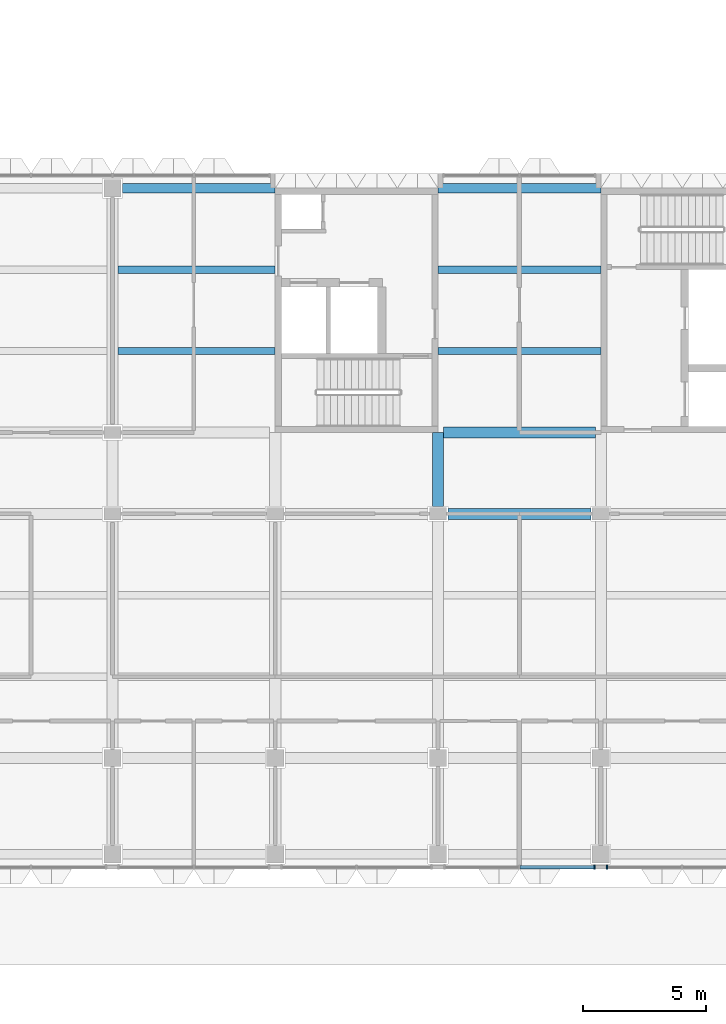
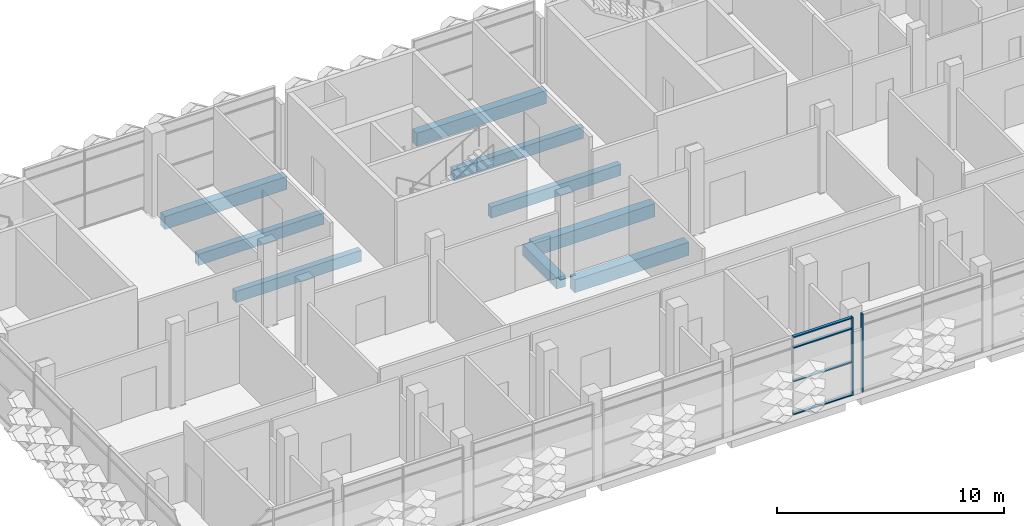
# One storey, part 8 of 109: 9 beams, 6 members, 2 elements without a shape of their own.
"""IFC4 building model written with IfcOpenShell, lengths in metres."""

from ifc_helpers import new_model, si_unit, direction, frame, origin, origin_2d, place, context, subcontext, project, spatial, rectangle, extrude, material, material_profile, profile_set, type_object, element, aggregate, save


model = new_model("IFC4")

# Units and contexts
model_context = context("Model", 3, precision=1e-05, world=origin(), true_north=direction((0.0, 1.0)))
body_context = subcontext(model_context, "Body", "Model", "MODEL_VIEW")
ifc_project = project(units=[si_unit("LENGTHUNIT", "METRE"), si_unit("AREAUNIT", "SQUARE_METRE"), si_unit("VOLUMEUNIT", "CUBIC_METRE"), si_unit("PLANEANGLEUNIT", "RADIAN"), si_unit("MASSUNIT", "GRAM", prefix="KILO")], contexts=[model_context])

# Site, building, storey
site_placement = place(None, origin())
site = spatial("IfcSite", under=ifc_project, at=site_placement, CompositionType="ELEMENT")
building_placement = place(site_placement, origin())
building = spatial("IfcBuilding", under=site, at=building_placement, Name="Lantern Court Research Institute", CompositionType="ELEMENT")
storey_placement = place(building_placement, frame((0.0, 0.0, 14.39990234375)))
storey = spatial("IfcBuildingStorey", under=building, at=storey_placement, Name="L03", CompositionType="ELEMENT", Elevation=14.39990234375)

# Curtain wall, member
ifc_material_1 = material(Name="Aluminium alloy 6063-T6", Category="aluminium")
curtain_wall_type = type_object("IfcCurtainWallType", Name="Curtain wall 6150 x 4200 x 150 aluminium frame", PredefinedType="NOTDEFINED", material=ifc_material_1)
curtain_wall_1_placement = place(storey_placement, origin())
curtain_wall_1 = element("IfcCurtainWall", 1, at=curtain_wall_1_placement, inside=storey, type_object=curtain_wall_type, Name="Curtain wall CW052", PredefinedType="NOTDEFINED")
ifc_material_2 = material(Name="Aluminium alloy 6063-T6", Category="aluminium")
ifc_material_profile_1 = material_profile(ifc_material_2, rectangle(XDim=0.14990234375, YDim=0.06005859375, at=origin_2d()), Name="Mullion 150 x 60")
ifc_profile_set_1 = profile_set([ifc_material_profile_1], Name="Aluminium alloy 6063-T6")
member_type_1 = type_object("IfcMemberType", Name="Mullion 150 x 60 aluminium", PredefinedType="MULLION", material=ifc_profile_set_1)
member_1_placement = place(storey_placement, frame((32.7451171875, -4.425048828125, 0.0), z_axis=(0.0, 0.0, 1.0), x_axis=(0.0, -1.0, 0.0)))
member_1 = element("IfcMember", 2, at=member_1_placement, type_object=member_type_1, Name="CW052 mullion 3", PredefinedType="MULLION", context=body_context, shape_type="SweptSolid", body=[
    extrude(rectangle(XDim=0.14990234375, YDim=0.06005859375, at=origin_2d()), origin(), (0.0, 0.0, 1.0), 4.2001953125),
])

curtain_wall_2_placement = place(storey_placement, origin())
curtain_wall_2 = element("IfcCurtainWall", 3, at=curtain_wall_2_placement, inside=storey, type_object=curtain_wall_type, Name="Curtain wall CW053", PredefinedType="NOTDEFINED")
member_2_placement = place(storey_placement, frame((33.2548828125, -4.425048828125, 0.0), z_axis=(0.0, 0.0, 1.0), x_axis=(0.0, -1.0, 0.0)))
member_2 = element("IfcMember", 4, at=member_2_placement, type_object=member_type_1, Name="CW053 mullion 1", PredefinedType="MULLION", context=body_context, shape_type="SweptSolid", body=[
    extrude(rectangle(XDim=0.14990234375, YDim=0.06005859375, at=origin_2d()), origin(), (0.0, 0.0, 1.0), 4.2001953125),
])
aggregate(curtain_wall_2, [member_2])

# Beams
ifc_material_3 = material(Name="Concrete C40/50", Category="concrete")
ifc_material_profile_2 = material_profile(ifc_material_3, rectangle(XDim=0.449951171875, YDim=0.699951171875, at=origin_2d()), Name="RC beam 450 x 700")
ifc_profile_set_2 = profile_set([ifc_material_profile_2], Name="Concrete C40/50")
beam_type_1 = type_object("IfcBeamType", Name="RC beam 450 x 700", PredefinedType="BEAM", material=ifc_profile_set_2)
beam_1_placement = place(storey_placement, frame((26.800048828125, 9.89990234375, -0.64990234375), z_axis=(1.0, 0.0, 0.0), x_axis=(0.0, 1.0, 0.0)))
element("IfcBeam", 5, at=beam_1_placement, inside=storey, type_object=beam_type_1, Name="Beam L03 grid B/5-6", PredefinedType="BEAM", context=body_context, shape_type="SweptSolid", body=[
    extrude(rectangle(XDim=0.449951171875, YDim=0.699951171875, at=origin_2d()), origin(), (0.0, 0.0, 1.0), 5.800048828125),
])
beam_2_placement = place(storey_placement, frame((26.625, 13.199951171875, -0.64990234375), z_axis=(1.0, 0.0, 0.0), x_axis=(0.0, 1.0, 0.0)))
element("IfcBeam", 6, at=beam_2_placement, inside=storey, type_object=beam_type_1, Name="Beam L03 grid C/5-6", PredefinedType="BEAM", context=body_context, shape_type="SweptSolid", body=[
    extrude(rectangle(XDim=0.449951171875, YDim=0.699951171875, at=origin_2d()), origin(), (0.0, 0.0, 1.0), 6.14990234375),
])
ifc_material_4 = material(Name="Concrete C40/50", Category="concrete")
ifc_material_profile_3 = material_profile(ifc_material_4, rectangle(XDim=0.39990234375, YDim=0.699951171875, at=origin_2d()), Name="RC beam 400 x 700")
ifc_profile_set_3 = profile_set([ifc_material_profile_3], Name="Concrete C40/50")
beam_type_2 = type_object("IfcBeamType", Name="RC edge beam 400 x 700", PredefinedType="BEAM", material=ifc_profile_set_3)
beam_3_placement = place(storey_placement, frame((13.60009765625, 23.10009765625, -0.64990234375), z_axis=(1.0, 0.0, 0.0), x_axis=(0.0, 1.0, 0.0)))
element("IfcBeam", 7, at=beam_3_placement, inside=storey, type_object=beam_type_2, Name="Edge beam L03 grid D/3-4", PredefinedType="BEAM", context=body_context, shape_type="SweptSolid", body=[
    extrude(rectangle(XDim=0.39990234375, YDim=0.699951171875, at=origin_2d()), origin(), (0.0, 0.0, 1.0), 6.199951171875),
])
beam_4_placement = place(storey_placement, frame((26.39990234375, 23.10009765625, -0.64990234375), z_axis=(1.0, 0.0, 0.0), x_axis=(0.0, 1.0, 0.0)))
element("IfcBeam", 8, at=beam_4_placement, inside=storey, type_object=beam_type_2, Name="Edge beam L03 grid D/5-6", PredefinedType="BEAM", context=body_context, shape_type="SweptSolid", body=[
    extrude(rectangle(XDim=0.39990234375, YDim=0.699951171875, at=origin_2d()), origin(), (0.0, 0.0, 1.0), 6.60009765625),
])
ifc_material_5 = material(Name="Concrete C40/50", Category="concrete")
ifc_material_profile_4 = material_profile(ifc_material_5, rectangle(XDim=0.300048828125, YDim=0.60009765625, at=origin_2d()), Name="RC beam 300 x 600")
ifc_profile_set_4 = profile_set([ifc_material_profile_4], Name="Concrete C40/50")
beam_type_3 = type_object("IfcBeamType", Name="RC secondary beam 300 x 600", PredefinedType="BEAM", material=ifc_profile_set_4)
beam_5_placement = place(storey_placement, frame((13.425048828125, 16.5, -0.599853515625), z_axis=(1.0, 0.0, 0.0), x_axis=(0.0, 1.0, 0.0)))
element("IfcBeam", 9, at=beam_5_placement, inside=storey, type_object=beam_type_3, Name="Secondary beam L03 grids 3-4 / C-D, line 1", PredefinedType="BEAM", context=body_context, shape_type="SweptSolid", body=[
    extrude(rectangle(XDim=0.300048828125, YDim=0.60009765625, at=origin_2d()), origin(), (0.0, 0.0, 1.0), 6.375),
])
beam_6_placement = place(storey_placement, frame((26.39990234375, 16.5, -0.599853515625), z_axis=(1.0, 0.0, 0.0), x_axis=(0.0, 1.0, 0.0)))
element("IfcBeam", 10, at=beam_6_placement, inside=storey, type_object=beam_type_3, Name="Secondary beam L03 grids 5-6 / C-D, line 1", PredefinedType="BEAM", context=body_context, shape_type="SweptSolid", body=[
    extrude(rectangle(XDim=0.300048828125, YDim=0.60009765625, at=origin_2d()), origin(), (0.0, 0.0, 1.0), 6.60009765625),
])
beam_7_placement = place(storey_placement, frame((13.425048828125, 19.800048828125, -0.599853515625), z_axis=(1.0, 0.0, 0.0), x_axis=(0.0, 1.0, 0.0)))
element("IfcBeam", 11, at=beam_7_placement, inside=storey, type_object=beam_type_3, Name="Secondary beam L03 grids 3-4 / C-D, line 2", PredefinedType="BEAM", context=body_context, shape_type="SweptSolid", body=[
    extrude(rectangle(XDim=0.300048828125, YDim=0.60009765625, at=origin_2d()), origin(), (0.0, 0.0, 1.0), 6.375),
])
beam_8_placement = place(storey_placement, frame((26.39990234375, 19.800048828125, -0.599853515625), z_axis=(1.0, 0.0, 0.0), x_axis=(0.0, 1.0, 0.0)))
element("IfcBeam", 12, at=beam_8_placement, inside=storey, type_object=beam_type_3, Name="Secondary beam L03 grids 5-6 / C-D, line 2", PredefinedType="BEAM", context=body_context, shape_type="SweptSolid", body=[
    extrude(rectangle(XDim=0.300048828125, YDim=0.60009765625, at=origin_2d()), origin(), (0.0, 0.0, 1.0), 6.60009765625),
])
ifc_material_6 = material(Name="Concrete C40/50", Category="concrete")
ifc_material_profile_5 = material_profile(ifc_material_6, rectangle(XDim=0.449951171875, YDim=0.60009765625, at=origin_2d()), Name="RC beam 450 x 600")
ifc_profile_set_5 = profile_set([ifc_material_profile_5], Name="Concrete C40/50")
beam_type_4 = type_object("IfcBeamType", Name="RC spine beam 450 x 600", PredefinedType="BEAM", material=ifc_profile_set_5)
beam_9_placement = place(storey_placement, frame((26.39990234375, 10.199951171875, -0.599853515625), z_axis=(0.0, 1.0, 0.0), x_axis=(-1.0, 0.0, 0.0)))
element("IfcBeam", 13, at=beam_9_placement, inside=storey, type_object=beam_type_4, Name="Beam L03 grid 5/B-C", PredefinedType="BEAM", context=body_context, shape_type="SweptSolid", body=[
    extrude(rectangle(XDim=0.449951171875, YDim=0.60009765625, at=origin_2d()), origin(), (0.0, 0.0, 1.0), 3.0),
])

# Member
ifc_material_7 = material(Name="Aluminium alloy 6063-T6", Category="aluminium")
ifc_material_profile_6 = material_profile(ifc_material_7, rectangle(XDim=0.14990234375, YDim=0.06005859375, at=origin_2d()), Name="Transom 150 x 60")
ifc_profile_set_6 = profile_set([ifc_material_profile_6], Name="Aluminium alloy 6063-T6")
member_type_2 = type_object("IfcMemberType", Name="Transom 150 x 60 aluminium", PredefinedType="USERDEFINED", material=ifc_profile_set_6)
member_3_placement = place(storey_placement, frame((32.715087890625, -4.425048828125, 0.030029296875), z_axis=(-1.0, 0.0, 0.0), x_axis=(0.0, -1.0, 0.0)))
member_3 = element("IfcMember", 14, at=member_3_placement, type_object=member_type_2, Name="CW052 transom 2.1", ObjectType="TRANSOM", PredefinedType="USERDEFINED", context=body_context, shape_type="SweptSolid", body=[
    extrude(rectangle(XDim=0.14990234375, YDim=0.06005859375, at=origin_2d()), origin(), (0.0, 0.0, 1.0), 2.985107421875),
])

member_4_placement = place(storey_placement, frame((32.715087890625, -4.425048828125, 1.800048828125), z_axis=(-1.0, 0.0, 0.0), x_axis=(0.0, -1.0, 0.0)))
member_4 = element("IfcMember", 15, at=member_4_placement, type_object=member_type_2, Name="CW052 transom 2.2", ObjectType="TRANSOM", PredefinedType="USERDEFINED", context=body_context, shape_type="SweptSolid", body=[
    extrude(rectangle(XDim=0.14990234375, YDim=0.06005859375, at=origin_2d()), origin(), (0.0, 0.0, 1.0), 2.985107421875),
])

member_5_placement = place(storey_placement, frame((32.715087890625, -4.425048828125, 3.60009765625), z_axis=(-1.0, 0.0, 0.0), x_axis=(0.0, -1.0, 0.0)))
member_5 = element("IfcMember", 16, at=member_5_placement, type_object=member_type_2, Name="CW052 transom 2.3", ObjectType="TRANSOM", PredefinedType="USERDEFINED", context=body_context, shape_type="SweptSolid", body=[
    extrude(rectangle(XDim=0.14990234375, YDim=0.06005859375, at=origin_2d()), origin(), (0.0, 0.0, 1.0), 2.985107421875),
])

member_6_placement = place(storey_placement, frame((32.715087890625, -4.425048828125, 4.170166015625), z_axis=(-1.0, 0.0, 0.0), x_axis=(0.0, -1.0, 0.0)))
member_6 = element("IfcMember", 17, at=member_6_placement, type_object=member_type_2, Name="CW052 transom 2.4", ObjectType="TRANSOM", PredefinedType="USERDEFINED", context=body_context, shape_type="SweptSolid", body=[
    extrude(rectangle(XDim=0.14990234375, YDim=0.06005859375, at=origin_2d()), origin(), (0.0, 0.0, 1.0), 2.985107421875),
])

aggregate(curtain_wall_1, [member_1, member_3, member_4, member_5, member_6])

save(model, "model.ifc")
